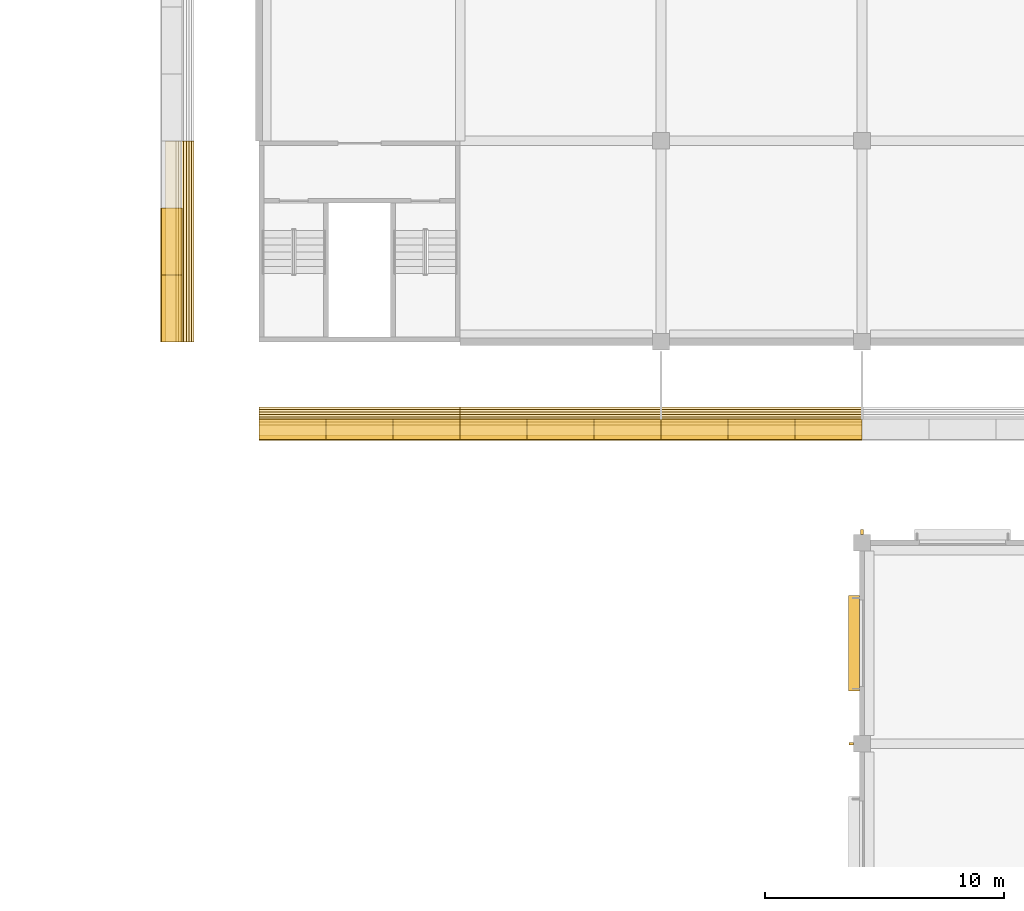
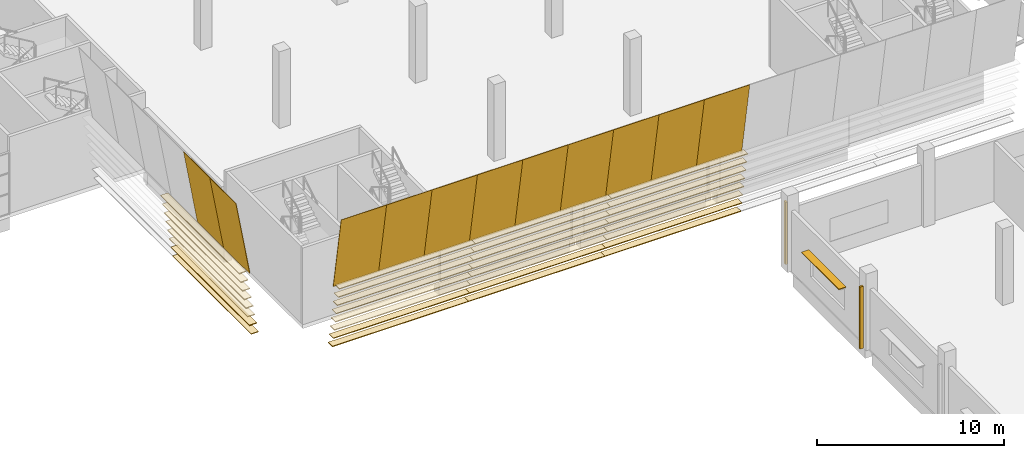
# One storey, part 62 of 82: 43 coverings, 3 shading devices.
"""IFC4 building model written with IfcOpenShell, lengths in metres."""

import ifcopenshell
import ifcopenshell.guid

model = None  # the IFC model being written
_history = None  # IfcOwnerHistory: only IFC2X3 demands one
_inside = {}  # id of a spatial element -> (the spatial element, [elements in it])
_under = {}  # id of a project, library or spatial element -> (it, [spatial elements below it])
_declared = {}  # id of a project -> (the project, [libraries it declares])
_typed = {}  # id of a type object -> (the type object, [elements of that type])
_made_of = {}  # id of a material, layer set ... -> (it, [elements and type objects made of it])


def new_model(schema):
    """Start an empty IFC model of exactly this schema.

    Asked for "IFC4X3", IfcOpenShell would pick the latest addendum, in which some entities
    have other attributes; the version numbers below select the first issue.
    IFC2X3 requires an IfcOwnerHistory on every rooted entity: one is made here for all.
    """
    global model, _history
    if schema == "IFC4X3":
        model = ifcopenshell.file(schema_version=(4, 3, 0, 0))
    else:
        model = ifcopenshell.file(schema=schema)
    _inside.clear()
    _under.clear()
    _declared.clear()
    _typed.clear()
    _made_of.clear()
    _history = None
    if model.schema == "IFC2X3":
        org = make("IfcOrganization", Name="unknown")
        user = make(
            "IfcPersonAndOrganization",
            ThePerson=make("IfcPerson", FamilyName="unknown"),
            TheOrganization=org,
        )
        app = make(
            "IfcApplication",
            ApplicationDeveloper=org,
            Version="unknown",
            ApplicationFullName="unknown",
            ApplicationIdentifier="unknown",
        )
        _history = make(
            "IfcOwnerHistory",
            OwningUser=user,
            OwningApplication=app,
            ChangeAction="ADDED",
            CreationDate=0,
        )
    return model


def make(cls, **values):
    """One entity of the class cls with the attributes given. An attribute that is None is left unset."""
    return model.create_entity(
        cls, **{name: value for name, value in values.items() if value is not None}
    )


def rooted(cls, **values):
    """An entity with a GlobalId (a new one), such as an element, a storey or a relation."""
    return make(cls, GlobalId=ifcopenshell.guid.new(), OwnerHistory=_history, **values)


def si_unit(unit_type, name, prefix=None):
    """IfcSIUnit, for example si_unit("LENGTHUNIT", "METRE", prefix="MILLI")."""
    return make("IfcSIUnit", UnitType=unit_type, Prefix=prefix, Name=name)


def assignment(units):
    """IfcUnitAssignment: the units of a project."""
    return None if units is None else make("IfcUnitAssignment", Units=units)


def point(xyz):
    """IfcCartesianPoint."""
    return None if xyz is None else make("IfcCartesianPoint", Coordinates=xyz)


def direction(xyz):
    """IfcDirection."""
    return None if xyz is None else make("IfcDirection", DirectionRatios=xyz)


def frame(location, z_axis=None, x_axis=None):
    """IfcAxis2Placement3D, a coordinate frame: its origin and axes. An axis left out is left unset."""
    return make(
        "IfcAxis2Placement3D",
        Location=point(location),
        Axis=direction(z_axis),
        RefDirection=direction(x_axis),
    )


def frame_2d(location, x_axis=None):
    """IfcAxis2Placement2D, a coordinate frame in the plane: its origin and x axis."""
    return make(
        "IfcAxis2Placement2D", Location=point(location), RefDirection=direction(x_axis)
    )


def origin():
    """The frame at (0, 0, 0) with its axes left unset."""
    return frame((0.0, 0.0, 0.0))


def origin_2d():
    """The frame at (0, 0) in the plane with its x axis left unset."""
    return frame_2d((0.0, 0.0))


def place(relative_to, where):
    """IfcLocalPlacement: puts the frame where relative to a parent placement (None: the world)."""
    return make(
        "IfcLocalPlacement", PlacementRelTo=relative_to, RelativePlacement=where
    )


def context(
    kind, dimensions, precision=None, world=None, true_north=None, identifier=None
):
    """IfcGeometricRepresentationContext, for example the 3D "Model" context."""
    return make(
        "IfcGeometricRepresentationContext",
        ContextIdentifier=identifier,
        ContextType=kind,
        CoordinateSpaceDimension=dimensions,
        Precision=precision,
        WorldCoordinateSystem=world,
        TrueNorth=true_north,
    )


def subcontext(parent, identifier, kind, view, scale=None):
    """IfcGeometricRepresentationSubContext, for example "Body" below "Model"."""
    return make(
        "IfcGeometricRepresentationSubContext",
        ContextIdentifier=identifier,
        ContextType=kind,
        ParentContext=parent,
        TargetScale=scale,
        TargetView=view,
    )


def project(units=None, contexts=None):
    """IfcProject with its units and contexts."""
    return rooted(
        "IfcProject",
        Name="project",
        RepresentationContexts=contexts,
        UnitsInContext=assignment(units),
    )


def spatial(cls, under=None, at=None, **own):
    """A site, building, storey or space (cls), placed at a placement, below another one or the project."""
    s = rooted(cls, ObjectPlacement=at, **own)
    if under is not None:
        _under.setdefault(under.id(), (under, []))[1].append(s)
    return s


def polyline(points):
    """IfcPolyline through the points."""
    return make("IfcPolyline", Points=[point(p) for p in points])


def profile(cls, at=None, kind="AREA", **sizes):
    """A parametric profile (cls). Its sizes go by their IFC names, for example OverallWidth=200.0."""
    return make(cls, ProfileType=kind, Position=at, **sizes)


def rectangle(**sizes):
    """IfcRectangleProfileDef."""
    return profile("IfcRectangleProfileDef", **sizes)


def outline(outer, holes=None, kind="AREA"):
    """IfcArbitraryClosedProfileDef: a profile drawn as a closed curve; with holes, ...WithVoids."""
    if holes is None:
        return make("IfcArbitraryClosedProfileDef", ProfileType=kind, OuterCurve=outer)
    return make(
        "IfcArbitraryProfileDefWithVoids",
        ProfileType=kind,
        OuterCurve=outer,
        InnerCurves=holes,
    )


def extrude(swept, where, along, depth):
    """IfcExtrudedAreaSolid: the profile swept, set in the frame where, extruded along a direction by depth."""
    return make(
        "IfcExtrudedAreaSolid",
        SweptArea=swept,
        Position=where,
        ExtrudedDirection=direction(along),
        Depth=depth,
    )


def shape(context_of_items, identifier, shape_type, items):
    """IfcShapeRepresentation: the items that make up one representation, for example the "Body"."""
    return make(
        "IfcShapeRepresentation",
        ContextOfItems=context_of_items,
        RepresentationIdentifier=identifier,
        RepresentationType=shape_type,
        Items=items,
    )


def material(Name=None, Category=None):
    """IfcMaterial."""
    return make("IfcMaterial", Name=Name, Category=Category)


def layer(
    of_material, thickness, ventilated=None, Name=None, Category=None, Priority=None
):
    """IfcMaterialLayer: one layer of a wall or slab, of a material (None: an air gap)."""
    return make(
        "IfcMaterialLayer",
        Material=of_material,
        LayerThickness=thickness,
        IsVentilated=ventilated,
        Name=Name,
        Category=Category,
        Priority=Priority,
    )


def layer_set(layers, Name=None):
    """IfcMaterialLayerSet."""
    return make("IfcMaterialLayerSet", MaterialLayers=layers, LayerSetName=Name)


def material_profile(
    of_material, cross_section, Name=None, Category=None, Priority=None
):
    """IfcMaterialProfile: a cross section and its material."""
    return make(
        "IfcMaterialProfile",
        Name=Name,
        Material=of_material,
        Profile=cross_section,
        Priority=Priority,
        Category=Category,
    )


def profile_set(profiles, Name=None, composite=None):
    """IfcMaterialProfileSet."""
    return make(
        "IfcMaterialProfileSet",
        Name=Name,
        MaterialProfiles=profiles,
        CompositeProfile=composite,
    )


def made_of(thing, what):
    """Note that an element or type object is made of a material, layer set ...; save() writes the relation."""
    if what is not None:
        _made_of.setdefault(what.id(), (what, []))[1].append(thing)
    return thing


def type_object(cls, material=None, **own):
    """A type object (cls), such as IfcWallType, which elements share."""
    return made_of(rooted(cls, **own), material)


def element(
    cls,
    number,
    at=None,
    inside=None,
    cuts=None,
    type_object=None,
    material=None,
    context=None,
    identifier="Body",
    shape_type=None,
    held_by="IfcProductDefinitionShape",
    body=None,
    shapes=None,
    **own,
):
    """One element of the class cls, such as IfcWall. Its Tag is "e" and its number.

    at: its placement. inside: the storey or other place that contains it. cuts: it is an
    opening in that element (IfcRelVoidsElement). A single representation is given by context,
    identifier, shape_type and body (its items); several are given by shapes. held_by: the class
    of the entity that holds the representations. save() writes the other relations.
    """
    e = rooted(cls, Tag="e%d" % number, ObjectPlacement=at, **own)
    if body is not None:
        shapes = [shape(context, identifier, shape_type, body)]
    if shapes is not None:
        e.Representation = make(held_by, Representations=shapes)
    if inside is not None:
        _inside.setdefault(inside.id(), (inside, []))[1].append(e)
    if cuts is not None:
        rooted(
            "IfcRelVoidsElement", RelatingBuildingElement=cuts, RelatedOpeningElement=e
        )
    if type_object is not None:
        _typed.setdefault(type_object.id(), (type_object, []))[1].append(e)
    return made_of(e, material)


def aggregate(whole, parts):
    """IfcRelAggregates: a whole, such as a stair, and the parts it consists of."""
    return rooted("IfcRelAggregates", RelatingObject=whole, RelatedObjects=parts)


def save(model, path):
    """Write the relations noted so far, then the file.

    IfcRelAggregates (storeys below a building ...), IfcRelContainedInSpatialStructure (elements
    in a storey), IfcRelDefinesByType, IfcRelAssociatesMaterial and IfcRelDeclares: one each for
    every whole, place, type object, material and project.
    """
    for whole, parts in _under.values():
        aggregate(whole, parts)
    for where, things in _inside.values():
        rooted(
            "IfcRelContainedInSpatialStructure",
            RelatedElements=things,
            RelatingStructure=where,
        )
    for kind, things in _typed.values():
        rooted("IfcRelDefinesByType", RelatedObjects=things, RelatingType=kind)
    for what, things in _made_of.values():
        rooted("IfcRelAssociatesMaterial", RelatedObjects=things, RelatingMaterial=what)
    for by, libraries in _declared.values():
        rooted("IfcRelDeclares", RelatingContext=by, RelatedDefinitions=libraries)
    model.write(path)


model = new_model("IFC4")

# Units and contexts
model_context = context("Model", 3, precision=1e-05, world=origin(), true_north=direction((0.0, 1.0)))
body_context = subcontext(model_context, "Body", "Model", "MODEL_VIEW")
ifc_project = project(units=[si_unit("LENGTHUNIT", "METRE"), si_unit("AREAUNIT", "SQUARE_METRE"), si_unit("VOLUMEUNIT", "CUBIC_METRE"), si_unit("PLANEANGLEUNIT", "RADIAN"), si_unit("MASSUNIT", "GRAM", prefix="KILO")], contexts=[model_context])

# Site, building, storey
site_placement = place(None, origin())
site = spatial("IfcSite", under=ifc_project, at=site_placement, CompositionType="ELEMENT")
building_placement = place(site_placement, origin())
building = spatial("IfcBuilding", under=site, at=building_placement, Name="Almond Square Museum", CompositionType="ELEMENT")
storey_placement = place(building_placement, frame((0.0, 0.0, 20.0)))
storey = spatial("IfcBuildingStorey", under=building, at=storey_placement, Name="L03", CompositionType="ELEMENT", Elevation=20.0)

# Coverings
ifc_material_1 = material(Name="Cedar timber louvre board", Category="wood")
ifc_material_profile_1 = material_profile(ifc_material_1, rectangle(XDim=0.449951171875, YDim=0.050048828125, at=origin_2d()))
ifc_profile_set_1 = profile_set([ifc_material_profile_1], Name="Cedar timber louvre board")
covering_type_1 = type_object("IfcCoveringType", Name="Louvre board 450 x 50", PredefinedType="CLADDING", material=ifc_profile_set_1)
covering_1_placement = place(storey_placement, frame((106.800048828125, 47.44873046875, 0.5), z_axis=(1.0, 0.0, 0.0), x_axis=(0.0, 1.0, 0.0)))
element("IfcCovering", 1, at=covering_1_placement, inside=storey, type_object=covering_type_1, Name="Louvre board S23.01", PredefinedType="CLADDING", context=body_context, shape_type="SweptSolid", body=[
    extrude(rectangle(XDim=0.449951171875, YDim=0.050048828125, at=origin_2d()), origin(), (0.0, 0.0, 1.0), 8.39990234375),
])
covering_2_placement = place(storey_placement, frame((115.199951171875, 47.44873046875, 0.5), z_axis=(1.0, 0.0, 0.0), x_axis=(0.0, 1.0, 0.0)))
element("IfcCovering", 2, at=covering_2_placement, inside=storey, type_object=covering_type_1, Name="Louvre board S23.02", PredefinedType="CLADDING", context=body_context, shape_type="SweptSolid", body=[
    extrude(rectangle(XDim=0.449951171875, YDim=0.050048828125, at=origin_2d()), origin(), (0.0, 0.0, 1.0), 8.400146484375),
])
for number, where, z_axis, x_axis, name in (
    (3, (123.60009765625, 47.44873046875, 0.5), (1.0, 0.0, 0.0), (0.0, 1.0, 0.0), "Louvre board S23.03"),
    (4, (106.800048828125, 47.3427734375, 1.10009765625), (1.0, 0.0, 0.0), (0.0, 1.0, 0.0), "Louvre board S24.01"),
):
    element("IfcCovering", number, at=place(storey_placement, frame(where, z_axis=z_axis, x_axis=x_axis)), inside=storey, type_object=covering_type_1, Name=name, PredefinedType="CLADDING", context=body_context, shape_type="SweptSolid", body=[
        extrude(rectangle(XDim=0.449951171875, YDim=0.050048828125, at=origin_2d()), origin(), (0.0, 0.0, 1.0), 8.39990234375),
    ])
covering_3_placement = place(storey_placement, frame((115.199951171875, 47.3427734375, 1.10009765625), z_axis=(1.0, 0.0, 0.0), x_axis=(0.0, 1.0, 0.0)))
element("IfcCovering", 5, at=covering_3_placement, inside=storey, type_object=covering_type_1, Name="Louvre board S24.02", PredefinedType="CLADDING", context=body_context, shape_type="SweptSolid", body=[
    extrude(rectangle(XDim=0.449951171875, YDim=0.050048828125, at=origin_2d()), origin(), (0.0, 0.0, 1.0), 8.400146484375),
])
for number, where, z_axis, x_axis, name in (
    (6, (123.60009765625, 47.3427734375, 1.10009765625), (1.0, 0.0, 0.0), (0.0, 1.0, 0.0), "Louvre board S24.03"),
    (7, (106.800048828125, 47.237060546875, 1.699951171875), (1.0, 0.0, 0.0), (0.0, 1.0, 0.0), "Louvre board S25.01"),
):
    element("IfcCovering", number, at=place(storey_placement, frame(where, z_axis=z_axis, x_axis=x_axis)), inside=storey, type_object=covering_type_1, Name=name, PredefinedType="CLADDING", context=body_context, shape_type="SweptSolid", body=[
        extrude(rectangle(XDim=0.449951171875, YDim=0.050048828125, at=origin_2d()), origin(), (0.0, 0.0, 1.0), 8.39990234375),
    ])
covering_4_placement = place(storey_placement, frame((115.199951171875, 47.237060546875, 1.699951171875), z_axis=(1.0, 0.0, 0.0), x_axis=(0.0, 1.0, 0.0)))
element("IfcCovering", 8, at=covering_4_placement, inside=storey, type_object=covering_type_1, Name="Louvre board S25.02", PredefinedType="CLADDING", context=body_context, shape_type="SweptSolid", body=[
    extrude(rectangle(XDim=0.449951171875, YDim=0.050048828125, at=origin_2d()), origin(), (0.0, 0.0, 1.0), 8.400146484375),
])
for number, where, z_axis, x_axis, name in (
    (9, (123.60009765625, 47.237060546875, 1.699951171875), (1.0, 0.0, 0.0), (0.0, 1.0, 0.0), "Louvre board S25.03"),
    (10, (106.800048828125, 47.13134765625, 2.300048828125), (1.0, 0.0, 0.0), (0.0, 1.0, 0.0), "Louvre board S26.01"),
):
    element("IfcCovering", number, at=place(storey_placement, frame(where, z_axis=z_axis, x_axis=x_axis)), inside=storey, type_object=covering_type_1, Name=name, PredefinedType="CLADDING", context=body_context, shape_type="SweptSolid", body=[
        extrude(rectangle(XDim=0.449951171875, YDim=0.050048828125, at=origin_2d()), origin(), (0.0, 0.0, 1.0), 8.39990234375),
    ])
covering_5_placement = place(storey_placement, frame((115.199951171875, 47.13134765625, 2.300048828125), z_axis=(1.0, 0.0, 0.0), x_axis=(0.0, 1.0, 0.0)))
element("IfcCovering", 11, at=covering_5_placement, inside=storey, type_object=covering_type_1, Name="Louvre board S26.02", PredefinedType="CLADDING", context=body_context, shape_type="SweptSolid", body=[
    extrude(rectangle(XDim=0.449951171875, YDim=0.050048828125, at=origin_2d()), origin(), (0.0, 0.0, 1.0), 8.400146484375),
])
for number, where, z_axis, x_axis, name in (
    (12, (123.60009765625, 47.13134765625, 2.300048828125), (1.0, 0.0, 0.0), (0.0, 1.0, 0.0), "Louvre board S26.03"),
    (13, (106.800048828125, 47.025390625, 2.89990234375), (1.0, 0.0, 0.0), (0.0, 1.0, 0.0), "Louvre board S27.01"),
):
    element("IfcCovering", number, at=place(storey_placement, frame(where, z_axis=z_axis, x_axis=x_axis)), inside=storey, type_object=covering_type_1, Name=name, PredefinedType="CLADDING", context=body_context, shape_type="SweptSolid", body=[
        extrude(rectangle(XDim=0.449951171875, YDim=0.050048828125, at=origin_2d()), origin(), (0.0, 0.0, 1.0), 8.39990234375),
    ])
covering_6_placement = place(storey_placement, frame((115.199951171875, 47.025390625, 2.89990234375), z_axis=(1.0, 0.0, 0.0), x_axis=(0.0, 1.0, 0.0)))
element("IfcCovering", 14, at=covering_6_placement, inside=storey, type_object=covering_type_1, Name="Louvre board S27.02", PredefinedType="CLADDING", context=body_context, shape_type="SweptSolid", body=[
    extrude(rectangle(XDim=0.449951171875, YDim=0.050048828125, at=origin_2d()), origin(), (0.0, 0.0, 1.0), 8.400146484375),
])
for number, where, z_axis, x_axis, name in (
    (15, (123.60009765625, 47.025390625, 2.89990234375), (1.0, 0.0, 0.0), (0.0, 1.0, 0.0), "Louvre board S27.03"),
    (16, (106.800048828125, 46.919677734375, 3.5), (1.0, 0.0, 0.0), (0.0, 1.0, 0.0), "Louvre board S28.01"),
):
    element("IfcCovering", number, at=place(storey_placement, frame(where, z_axis=z_axis, x_axis=x_axis)), inside=storey, type_object=covering_type_1, Name=name, PredefinedType="CLADDING", context=body_context, shape_type="SweptSolid", body=[
        extrude(rectangle(XDim=0.449951171875, YDim=0.050048828125, at=origin_2d()), origin(), (0.0, 0.0, 1.0), 8.39990234375),
    ])
covering_7_placement = place(storey_placement, frame((115.199951171875, 46.919677734375, 3.5), z_axis=(1.0, 0.0, 0.0), x_axis=(0.0, 1.0, 0.0)))
element("IfcCovering", 17, at=covering_7_placement, inside=storey, type_object=covering_type_1, Name="Louvre board S28.02", PredefinedType="CLADDING", context=body_context, shape_type="SweptSolid", body=[
    extrude(rectangle(XDim=0.449951171875, YDim=0.050048828125, at=origin_2d()), origin(), (0.0, 0.0, 1.0), 8.400146484375),
])
for number, where, z_axis, x_axis, name in (
    (18, (123.60009765625, 46.919677734375, 3.5), (1.0, 0.0, 0.0), (0.0, 1.0, 0.0), "Louvre board S28.03"),
    (19, (106.800048828125, 46.81396484375, 4.10009765625), (1.0, 0.0, 0.0), (0.0, 1.0, 0.0), "Louvre board S29.01"),
):
    element("IfcCovering", number, at=place(storey_placement, frame(where, z_axis=z_axis, x_axis=x_axis)), inside=storey, type_object=covering_type_1, Name=name, PredefinedType="CLADDING", context=body_context, shape_type="SweptSolid", body=[
        extrude(rectangle(XDim=0.449951171875, YDim=0.050048828125, at=origin_2d()), origin(), (0.0, 0.0, 1.0), 8.39990234375),
    ])
covering_8_placement = place(storey_placement, frame((115.199951171875, 46.81396484375, 4.10009765625), z_axis=(1.0, 0.0, 0.0), x_axis=(0.0, 1.0, 0.0)))
element("IfcCovering", 20, at=covering_8_placement, inside=storey, type_object=covering_type_1, Name="Louvre board S29.02", PredefinedType="CLADDING", context=body_context, shape_type="SweptSolid", body=[
    extrude(rectangle(XDim=0.449951171875, YDim=0.050048828125, at=origin_2d()), origin(), (0.0, 0.0, 1.0), 8.400146484375),
])
for number, where, z_axis, x_axis, name in (
    (21, (123.60009765625, 46.81396484375, 4.10009765625), (1.0, 0.0, 0.0), (0.0, 1.0, 0.0), "Louvre board S29.03"),
    (22, (106.800048828125, 46.7080078125, 4.699951171875), (1.0, 0.0, 0.0), (0.0, 1.0, 0.0), "Louvre board S30.01"),
):
    element("IfcCovering", number, at=place(storey_placement, frame(where, z_axis=z_axis, x_axis=x_axis)), inside=storey, type_object=covering_type_1, Name=name, PredefinedType="CLADDING", context=body_context, shape_type="SweptSolid", body=[
        extrude(rectangle(XDim=0.449951171875, YDim=0.050048828125, at=origin_2d()), origin(), (0.0, 0.0, 1.0), 8.39990234375),
    ])
covering_9_placement = place(storey_placement, frame((115.199951171875, 46.7080078125, 4.699951171875), z_axis=(1.0, 0.0, 0.0), x_axis=(0.0, 1.0, 0.0)))
element("IfcCovering", 23, at=covering_9_placement, inside=storey, type_object=covering_type_1, Name="Louvre board S30.02", PredefinedType="CLADDING", context=body_context, shape_type="SweptSolid", body=[
    extrude(rectangle(XDim=0.449951171875, YDim=0.050048828125, at=origin_2d()), origin(), (0.0, 0.0, 1.0), 8.400146484375),
])
covering_10_placement = place(storey_placement, frame((123.60009765625, 46.7080078125, 4.699951171875), z_axis=(1.0, 0.0, 0.0), x_axis=(0.0, 1.0, 0.0)))
element("IfcCovering", 24, at=covering_10_placement, inside=storey, type_object=covering_type_1, Name="Louvre board S30.03", PredefinedType="CLADDING", context=body_context, shape_type="SweptSolid", body=[
    extrude(rectangle(XDim=0.449951171875, YDim=0.050048828125, at=origin_2d()), origin(), (0.0, 0.0, 1.0), 8.39990234375),
])
for number, where, z_axis, x_axis, name in (
    (25, (103.8486328125, 50.39990234375, 0.5), (0.0, 1.0, 0.0), (-1.0, 0.0, 0.0), "Louvre board W23.01"),
    (26, (103.742919921875, 50.39990234375, 1.10009765625), (0.0, 1.0, 0.0), (-1.0, 0.0, 0.0), "Louvre board W24.01"),
    (27, (103.636962890625, 50.39990234375, 1.699951171875), (0.0, 1.0, 0.0), (-1.0, 0.0, 0.0), "Louvre board W25.01"),
    (28, (103.53125, 50.39990234375, 2.300048828125), (0.0, 1.0, 0.0), (-1.0, 0.0, 0.0), "Louvre board W26.01"),
    (29, (103.425537109375, 50.39990234375, 2.89990234375), (0.0, 1.0, 0.0), (-1.0, 0.0, 0.0), "Louvre board W27.01"),
    (30, (103.319580078125, 50.39990234375, 3.5), (0.0, 1.0, 0.0), (-1.0, 0.0, 0.0), "Louvre board W28.01"),
    (31, (103.2138671875, 50.39990234375, 4.10009765625), (0.0, 1.0, 0.0), (-1.0, 0.0, 0.0), "Louvre board W29.01"),
    (32, (103.108154296875, 50.39990234375, 4.699951171875), (0.0, 1.0, 0.0), (-1.0, 0.0, 0.0), "Louvre board W30.01"),
):
    element("IfcCovering", number, at=place(storey_placement, frame(where, z_axis=z_axis, x_axis=x_axis)), inside=storey, type_object=covering_type_1, Name=name, PredefinedType="CLADDING", context=body_context, shape_type="SweptSolid", body=[
        extrude(rectangle(XDim=0.449951171875, YDim=0.050048828125, at=origin_2d()), origin(), (0.0, 0.0, 1.0), 8.400146484375),
    ])
ifc_material_2 = material(Name="Cedar timber sheathing panel", Category="wood")
ifc_layer = layer(ifc_material_2, 0.030029296875)
ifc_layer_set = layer_set([ifc_layer], Name="Cedar timber sheathing panel")
covering_type_2 = type_object("IfcCoveringType", Name="Louvre rain-screen backing panel 30", PredefinedType="CLADDING", material=ifc_layer_set)
covering_11_placement = place(storey_placement, frame((106.800048828125, 47.15380859375, 4.469970703125), z_axis=(0.0, -0.984808947576, -0.173641402823), x_axis=(1.0, 0.0, 0.0)))
element("IfcCovering", 33, at=covering_11_placement, inside=storey, type_object=covering_type_2, Name="Louvre rain-screen backing panel S01.06", PredefinedType="CLADDING", context=body_context, shape_type="SweptSolid", body=[
    extrude(outline(polyline([(0.0, 0.0), (2.800048828125, 0.0), (2.800048828125, 4.935076426587713), (0.0, 4.935076426587713), (0.0, 0.0)])), frame((0.0, 0.0, -0.01513671875)), (0.0, 0.0, 1.0), 0.030029296875),
])
covering_12_placement = place(storey_placement, frame((109.60009765625, 47.15380859375, 4.469970703125), z_axis=(0.0, -0.984808947576, -0.173641402823), x_axis=(1.0, 0.0, 0.0)))
element("IfcCovering", 34, at=covering_12_placement, inside=storey, type_object=covering_type_2, Name="Louvre rain-screen backing panel S02.06", PredefinedType="CLADDING", context=body_context, shape_type="SweptSolid", body=[
    extrude(outline(polyline([(0.0, 0.0), (2.7998046875, 0.0), (2.7998046875, 4.935076426587713), (0.0, 4.935076426587713), (0.0, 0.0)])), frame((0.0, 0.0, -0.01513671875)), (0.0, 0.0, 1.0), 0.030029296875),
])
for number, where, z_axis, x_axis, name in (
    (35, (112.39990234375, 47.15380859375, 4.469970703125), (0.0, -0.984808947576, -0.173641402823), (1.0, 0.0, 0.0), "Louvre rain-screen backing panel S03.06"),
    (36, (115.199951171875, 47.15380859375, 4.469970703125), (0.0, -0.984808947576, -0.173641402823), (1.0, 0.0, 0.0), "Louvre rain-screen backing panel S04.06"),
    (37, (118.0, 47.15380859375, 4.469970703125), (0.0, -0.984808947576, -0.173641402823), (1.0, 0.0, 0.0), "Louvre rain-screen backing panel S05.06"),
    (38, (120.800048828125, 47.15380859375, 4.469970703125), (0.0, -0.984808947576, -0.173641402823), (1.0, 0.0, 0.0), "Louvre rain-screen backing panel S06.06"),
):
    element("IfcCovering", number, at=place(storey_placement, frame(where, z_axis=z_axis, x_axis=x_axis)), inside=storey, type_object=covering_type_2, Name=name, PredefinedType="CLADDING", context=body_context, shape_type="SweptSolid", body=[
        extrude(outline(polyline([(0.0, 0.0), (2.800048828125, 0.0), (2.800048828125, 4.935076426587713), (0.0, 4.935076426587713), (0.0, 0.0)])), frame((0.0, 0.0, -0.01513671875)), (0.0, 0.0, 1.0), 0.030029296875),
    ])
covering_13_placement = place(storey_placement, frame((123.60009765625, 47.15380859375, 4.469970703125), z_axis=(0.0, -0.984808947576, -0.173641402823), x_axis=(1.0, 0.0, 0.0)))
element("IfcCovering", 39, at=covering_13_placement, inside=storey, type_object=covering_type_2, Name="Louvre rain-screen backing panel S07.06", PredefinedType="CLADDING", context=body_context, shape_type="SweptSolid", body=[
    extrude(outline(polyline([(0.0, 0.0), (2.7998046875, 0.0), (2.7998046875, 4.935076426587713), (0.0, 4.935076426587713), (0.0, 0.0)])), frame((0.0, 0.0, -0.01513671875)), (0.0, 0.0, 1.0), 0.030029296875),
])
for number, where, z_axis, x_axis, name in (
    (40, (126.39990234375, 47.15380859375, 4.469970703125), (0.0, -0.984808947576, -0.173641402823), (1.0, 0.0, 0.0), "Louvre rain-screen backing panel S08.06"),
    (41, (129.199951171875, 47.15380859375, 4.469970703125), (0.0, -0.984808947576, -0.173641402823), (1.0, 0.0, 0.0), "Louvre rain-screen backing panel S09.06"),
    (42, (103.5537109375, 50.39990234375, 4.469970703125), (0.984808947576, 0.0, 0.173641402823), (0.0, 1.0, 0.0), "Louvre rain-screen backing panel W01.06"),
    (43, (103.5537109375, 53.199951171875, 4.469970703125), (0.984808947576, 0.0, 0.173641402823), (0.0, 1.0, 0.0), "Louvre rain-screen backing panel W02.06"),
):
    element("IfcCovering", number, at=place(storey_placement, frame(where, z_axis=z_axis, x_axis=x_axis)), inside=storey, type_object=covering_type_2, Name=name, PredefinedType="CLADDING", context=body_context, shape_type="SweptSolid", body=[
        extrude(outline(polyline([(0.0, 0.0), (2.800048828125, 0.0), (2.800048828125, 4.935076426587713), (0.0, 4.935076426587713), (0.0, 0.0)])), frame((0.0, 0.0, -0.01513671875)), (0.0, 0.0, 1.0), 0.030029296875),
    ])

# Shading devices
ifc_material_3 = material(Name="Anodised aluminium", Category="aluminium")
ifc_material_profile_2 = material_profile(ifc_material_3, rectangle(XDim=0.449951171875, YDim=0.050048828125, at=origin_2d()))
ifc_profile_set_2 = profile_set([ifc_material_profile_2], Name="Anodised aluminium")
shading_device_type_1 = type_object("IfcShadingDeviceType", Name="Sun-shade blade 450 x 50", PredefinedType="USERDEFINED", material=ifc_profile_set_2)
shading_device_placement = place(storey_placement, frame((131.6669921875, 35.800048828125, 2.52001953125), z_axis=(0.0, 1.0, 0.0), x_axis=(-1.0, 0.0, 0.0)))
element("IfcShadingDevice", 44, at=shading_device_placement, inside=storey, type_object=shading_device_type_1, Name="Sun-shade blade", ObjectType="LOUVRE", PredefinedType="USERDEFINED", context=body_context, shape_type="SweptSolid", body=[
    extrude(rectangle(XDim=0.449951171875, YDim=0.050048828125, at=origin_2d()), origin(), (0.0, 0.0, 1.0), 4.0),
])
ifc_material_4 = material(Name="Anodised aluminium", Category="aluminium")
ifc_material_profile_3 = material_profile(ifc_material_4, rectangle(XDim=0.199951171875, YDim=0.1201171875, at=origin_2d()))
ifc_profile_set_3 = profile_set([ifc_material_profile_3], Name="Anodised aluminium")
shading_device_type_2 = type_object("IfcShadingDeviceType", Name="Vertical aluminium fin 200 x 120", PredefinedType="USERDEFINED", material=ifc_profile_set_3)
for number, where, z_axis, x_axis, name in (
    (45, (132.0, 42.447998046875, 0.0), (0.0, 0.0, 1.0), (0.0, 1.0, 0.0), "Vertical fin V5E L03 N02"),
    (46, (131.552001953125, 33.60009765625, 0.0), (0.0, 0.0, 1.0), (-1.0, 0.0, 0.0), "Vertical fin V5E L03 W01"),
):
    element("IfcShadingDevice", number, at=place(storey_placement, frame(where, z_axis=z_axis, x_axis=x_axis)), inside=storey, type_object=shading_device_type_2, Name=name, ObjectType="FIN", PredefinedType="USERDEFINED", context=body_context, shape_type="SweptSolid", body=[
        extrude(rectangle(XDim=0.199951171875, YDim=0.1201171875, at=origin_2d()), origin(), (0.0, 0.0, 1.0), 4.050048828125),
    ])

save(model, "model.ifc")
